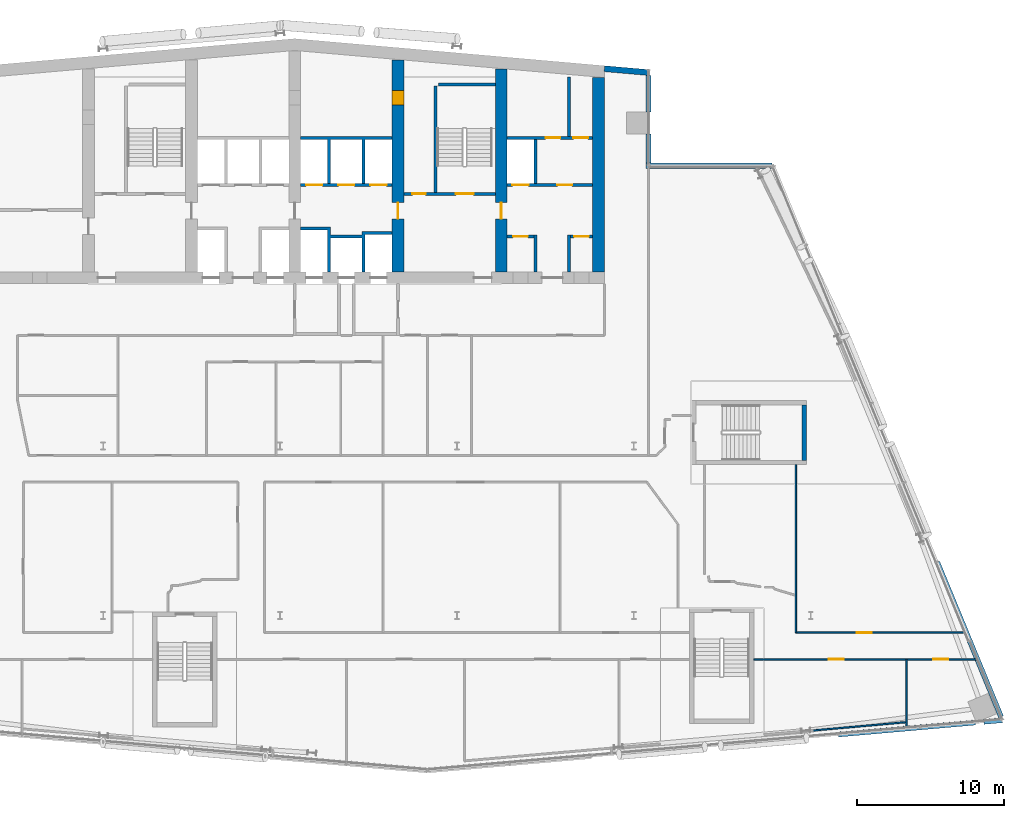
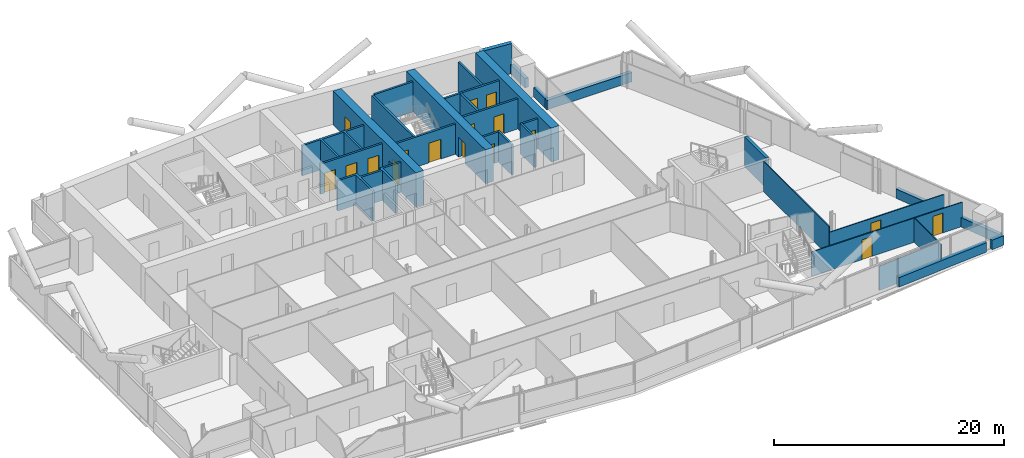
# One storey, part 19 of 27: 30 walls, 17 doors, 17 openings.
"""IFC4 building model written with IfcOpenShell, lengths in metres."""

from ifc_helpers import new_model, si_unit, direction, frame, frame_2d, origin, place, context, subcontext, project, spatial, polyline, rectangle, outline, extrude, material, layer, layer_set, type_object, element, fill, save


model = new_model("IFC4")

# Units and contexts
model_context = context("Model", 3, precision=1e-05, world=origin(), true_north=direction((0.0, 1.0)))
body_context = subcontext(model_context, "Body", "Model", "MODEL_VIEW")
ifc_project = project(units=[si_unit("LENGTHUNIT", "METRE"), si_unit("AREAUNIT", "SQUARE_METRE"), si_unit("VOLUMEUNIT", "CUBIC_METRE"), si_unit("PLANEANGLEUNIT", "RADIAN"), si_unit("MASSUNIT", "GRAM", prefix="KILO")], contexts=[model_context])

# Site, building, storey
site_placement = place(None, origin())
site = spatial("IfcSite", under=ifc_project, at=site_placement, CompositionType="ELEMENT")
building_placement = place(site_placement, origin())
building = spatial("IfcBuilding", under=site, at=building_placement, Name="Wharfspan Tower", CompositionType="ELEMENT")
storey_placement = place(building_placement, frame((0.0, 0.0, 195.100098)))
storey = spatial("IfcBuildingStorey", under=building, at=storey_placement, Name="L48", CompositionType="ELEMENT", Elevation=195.100098)

# Wall, openings, doors
ifc_material_1 = material(Name="Gypsum board on steel studs", Category="steel")
ifc_layer_1 = layer(ifc_material_1, 0.100098)
ifc_layer_set_1 = layer_set([ifc_layer_1], Name="Gypsum board on steel studs")
wall_type_1 = type_object("IfcWallType", Name="Compartment wall 100 EI 60", PredefinedType="PARTITIONING", material=ifc_layer_set_1)
wall_1_placement = place(storey_placement, frame((68.136475, 8.52002, 0.0), z_axis=(0.0, 0.0, 1.0), x_axis=(1.0, 0.0, 0.0)))
wall_1 = element("IfcWall", 1, at=wall_1_placement, inside=storey, type_object=wall_type_1, Name="Partition L48.w066", PredefinedType="PARTITIONING", context=body_context, shape_type="SweptSolid", body=[
    extrude(rectangle(XDim=15.140869, YDim=0.100098, at=frame_2d((7.570312, 0.0))), origin(), (0.0, 0.0, 1.0), 2.579834),
])
opening_1_placement = place(wall_1_placement, frame((5.093506, 0.0, 0.0)))
opening_1 = element("IfcOpeningElement", 2, at=opening_1_placement, cuts=wall_1, Name="Opening C6-07", PredefinedType="OPENING", context=body_context, shape_type="SweptSolid", body=[
    extrude(rectangle(XDim=1.0, YDim=2.100098, at=frame_2d((0.5, 1.050049))), frame((0.0, 0.060059, 0.0), z_axis=(0.0, -1.0, 0.0), x_axis=(1.0, 0.0, 0.0)), (0.0, 0.0, 1.0), 0.120117),
])
opening_2_placement = place(wall_1_placement, frame((12.183594, 0.0, 0.0)))
opening_2 = element("IfcOpeningElement", 3, at=opening_2_placement, cuts=wall_1, Name="Opening C6-08", PredefinedType="OPENING", context=body_context, shape_type="SweptSolid", body=[
    extrude(rectangle(XDim=1.0, YDim=2.100098, at=frame_2d((0.5, 1.050049))), frame((0.0, 0.060059, 0.0), z_axis=(0.0, -1.0, 0.0), x_axis=(1.0, 0.0, 0.0)), (0.0, 0.0, 1.0), 0.120117),
])
ifc_material_2 = material(Name="Fire-rated timber door leaf in steel frame", Category="steel")
door_type_1 = type_object("IfcDoorType", Name="Door 1000 FD30S Left", OperationType="SINGLE_SWING_LEFT", PredefinedType="DOOR", material=ifc_material_2)
door_1_placement = place(opening_1_placement, origin())
door_1 = element("IfcDoor", 4, at=door_1_placement, inside=storey, type_object=door_type_1, Name="Door C6-07", OperationType="SINGLE_SWING_LEFT", OverallHeight=2.100098, OverallWidth=1.0, PredefinedType="DOOR", context=body_context, shape_type="SweptSolid", body=[
    extrude(rectangle(XDim=1.0, YDim=2.100098, at=frame_2d((0.5, 1.050049))), frame((0.0, 0.024902, 0.0), z_axis=(0.0, -1.0, 0.0), x_axis=(1.0, 0.0, 0.0)), (0.0, 0.0, 1.0), 0.050049),
])
fill(opening_1, door_1)
door_type_2 = type_object("IfcDoorType", Name="Door 1000 FD30S Right", OperationType="SINGLE_SWING_RIGHT", PredefinedType="DOOR", material=ifc_material_2)
door_2_placement = place(opening_2_placement, origin())
door_2 = element("IfcDoor", 5, at=door_2_placement, inside=storey, type_object=door_type_2, Name="Door C6-08", OperationType="SINGLE_SWING_RIGHT", OverallHeight=2.100098, OverallWidth=1.0, PredefinedType="DOOR", context=body_context, shape_type="SweptSolid", body=[
    extrude(rectangle(XDim=1.0, YDim=2.100098, at=frame_2d((0.5, 1.050049))), frame((0.0, 0.024902, 0.0), z_axis=(0.0, -1.0, 0.0), x_axis=(1.0, 0.0, 0.0)), (0.0, 0.0, 1.0), 0.050049),
])
fill(opening_2, door_2)

# Wall
wall_2_placement = place(storey_placement, frame((71.0, 10.324951, 0.0), z_axis=(0.0, 0.0, 1.0), x_axis=(0.0, 1.0, 0.0)))
element("IfcWall", 6, at=wall_2_placement, inside=storey, type_object=wall_type_1, Name="Partition L48.w072", PredefinedType="PARTITIONING", context=body_context, shape_type="SweptSolid", body=[
    extrude(rectangle(XDim=11.400146, YDim=0.100098, at=frame_2d((5.700195, 0.0))), origin(), (0.0, 0.0, 1.0), 3.199951),
])

# Wall, opening, door
wall_3_placement = place(storey_placement, frame((71.0, 10.324951, 0.0), z_axis=(0.0, 0.0, 1.0), x_axis=(1.0, 0.0, 0.0)))
wall_3 = element("IfcWall", 7, at=wall_3_placement, inside=storey, type_object=wall_type_1, Name="Partition L48.w073", PredefinedType="PARTITIONING", context=body_context, shape_type="SweptSolid", body=[
    extrude(rectangle(XDim=11.532227, YDim=0.100098, at=frame_2d((5.766113, 0.0))), origin(), (0.0, 0.0, 1.0), 2.579834),
])
opening_3_placement = place(wall_3_placement, frame((4.135986, 0.0, 0.0)))
opening_3 = element("IfcOpeningElement", 8, at=opening_3_placement, cuts=wall_3, Name="Opening C6-10", PredefinedType="OPENING", context=body_context, shape_type="SweptSolid", body=[
    extrude(rectangle(XDim=1.0, YDim=2.100098, at=frame_2d((0.5, 1.050049))), frame((0.0, 0.060059, 0.0), z_axis=(0.0, -1.0, 0.0), x_axis=(1.0, 0.0, 0.0)), (0.0, 0.0, 1.0), 0.120117),
])
door_3_placement = place(opening_3_placement, origin())
door_3 = element("IfcDoor", 9, at=door_3_placement, inside=storey, type_object=door_type_1, Name="Door C6-10", OperationType="SINGLE_SWING_LEFT", OverallHeight=2.100098, OverallWidth=1.0, PredefinedType="DOOR", context=body_context, shape_type="SweptSolid", body=[
    extrude(rectangle(XDim=1.0, YDim=2.100098, at=frame_2d((0.5, 1.050049))), frame((0.0, 0.024902, 0.0), z_axis=(0.0, -1.0, 0.0), x_axis=(1.0, 0.0, 0.0)), (0.0, 0.0, 1.0), 0.050049),
])
fill(opening_3, door_3)

# Wall
wall_4_placement = place(storey_placement, frame((78.5, 3.870117, 0.0), z_axis=(0.0, 0.0, 1.0), x_axis=(0.0, 1.0, 0.0)))
element("IfcWall", 10, at=wall_4_placement, inside=storey, type_object=wall_type_1, Name="Partition L48.w078", PredefinedType="PARTITIONING", context=body_context, shape_type="SweptSolid", body=[
    extrude(rectangle(XDim=4.649902, YDim=0.100098, at=frame_2d((2.324951, 0.0))), origin(), (0.0, 0.0, 1.0), 2.579834),
])

# Wall, opening, door
ifc_material_3 = material(Name="Calcium silicate masonry", Category="masonry")
ifc_layer_2 = layer(ifc_material_3, 0.199951)
ifc_layer_set_2 = layer_set([ifc_layer_2], Name="Calcium silicate masonry")
wall_type_2 = type_object("IfcWallType", Name="Core room wall 200", PredefinedType="PARTITIONING", material=ifc_layer_set_2)
wall_5_placement = place(storey_placement, frame((51.399902, 37.199951, 0.0), z_axis=(0.0, 0.0, 1.0), x_axis=(1.0, 0.0, 0.0)))
wall_5 = element("IfcWall", 11, at=wall_5_placement, inside=storey, type_object=wall_type_2, Name="sw:L48:FR6.1", PredefinedType="PARTITIONING", context=body_context, shape_type="SweptSolid", body=[
    extrude(rectangle(XDim=1.833496, YDim=0.199951, at=frame_2d((0.916748, 0.0))), origin(), (0.0, 0.0, 1.0), 3.199951),
])
opening_4_placement = place(wall_5_placement, frame((0.416748, 0.0, 0.0)))
opening_4 = element("IfcOpeningElement", 12, at=opening_4_placement, cuts=wall_5, Name="Opening CD48.6H1", PredefinedType="OPENING", context=body_context, shape_type="SweptSolid", body=[
    extrude(rectangle(XDim=1.0, YDim=2.100098, at=frame_2d((0.5, 1.050049))), frame((0.0, 0.109863, 0.0), z_axis=(0.0, -1.0, 0.0), x_axis=(1.0, 0.0, 0.0)), (0.0, 0.0, 1.0), 0.219971),
])
ifc_material_4 = material(Name="Steel door leaf", Category="steel")
door_type_3 = type_object("IfcDoorType", Name="Core room door 1000x2100", OperationType="SINGLE_SWING_LEFT", PredefinedType="DOOR", material=ifc_material_4)
door_4_placement = place(opening_4_placement, origin())
door_4 = element("IfcDoor", 13, at=door_4_placement, inside=storey, type_object=door_type_3, Name="d:L48:6:fh6.1", OperationType="SINGLE_SWING_RIGHT", OverallHeight=2.100098, OverallWidth=1.0, PredefinedType="DOOR", context=body_context, shape_type="SweptSolid", body=[
    extrude(rectangle(XDim=1.0, YDim=2.100098, at=frame_2d((0.5, 1.050049))), frame((0.0, 0.024902, 0.0), z_axis=(0.0, -1.0, 0.0), x_axis=(1.0, 0.0, 0.0)), (0.0, 0.0, 1.0), 0.050049),
])
fill(opening_4, door_4)

wall_6_placement = place(storey_placement, frame((55.699951, 37.199951, 0.0), z_axis=(0.0, 0.0, 1.0), x_axis=(1.0, 0.0, 0.0)))
wall_6 = element("IfcWall", 14, at=wall_6_placement, inside=storey, type_object=wall_type_2, Name="sw:L48:FR6.3", PredefinedType="PARTITIONING", context=body_context, shape_type="SweptSolid", body=[
    extrude(rectangle(XDim=1.5, YDim=0.199951, at=frame_2d((0.75, 0.0))), origin(), (0.0, 0.0, 1.0), 3.199951),
])
opening_5_placement = place(wall_6_placement, frame((0.25, 0.0, 0.0)))
opening_5 = element("IfcOpeningElement", 15, at=opening_5_placement, cuts=wall_6, Name="Opening CD48.6H3", PredefinedType="OPENING", context=body_context, shape_type="SweptSolid", body=[
    extrude(rectangle(XDim=1.0, YDim=2.100098, at=frame_2d((0.5, 1.050049))), frame((0.0, 0.109863, 0.0), z_axis=(0.0, -1.0, 0.0), x_axis=(1.0, 0.0, 0.0)), (0.0, 0.0, 1.0), 0.219971),
])
door_5_placement = place(opening_5_placement, origin())
door_5 = element("IfcDoor", 16, at=door_5_placement, inside=storey, type_object=door_type_3, Name="d:L48:6:fh6.3", OperationType="SINGLE_SWING_RIGHT", OverallHeight=2.100098, OverallWidth=1.0, PredefinedType="DOOR", context=body_context, shape_type="SweptSolid", body=[
    extrude(rectangle(XDim=1.0, YDim=2.100098, at=frame_2d((0.5, 1.050049))), frame((0.0, 0.024902, 0.0), z_axis=(0.0, -1.0, 0.0), x_axis=(1.0, 0.0, 0.0)), (0.0, 0.0, 1.0), 0.050049),
])
fill(opening_5, door_5)

# Wall
wall_7_placement = place(storey_placement, frame((55.600098, 44.0, 0.0), z_axis=(0.0, 0.0, 1.0), x_axis=(0.0, 1.0, 0.0)))
element("IfcWall", 17, at=wall_7_placement, inside=storey, type_object=wall_type_2, Name="sw:L48:RP6.1", PredefinedType="PARTITIONING", context=body_context, shape_type="SweptSolid", body=[
    extrude(rectangle(XDim=4.03418, YDim=0.199951, at=frame_2d((2.01709, 0.0))), origin(), (0.0, 0.0, 1.0), 3.199951),
])

# Wall, openings, doors
ifc_material_5 = material(Name="Concrete C60/75", Category="concrete")
ifc_layer_3 = layer(ifc_material_5, 0.800049)
ifc_layer_set_3 = layer_set([ifc_layer_3], Name="Concrete C60/75")
wall_type_3 = type_object("IfcWallType", Name="Core wall 800 C60/75", PredefinedType="SHEAR", material=ifc_layer_set_3)
wall_8_placement = place(storey_placement, frame((44.0, 34.800049, 0.0), z_axis=(0.0, 0.0, 1.0), x_axis=(0.0, 1.0, 0.0)))
wall_8 = element("IfcWall", 18, at=wall_8_placement, inside=storey, type_object=wall_type_3, Name="Core cross wall X5 L48", PredefinedType="SHEAR", context=body_context, shape_type="SweptSolid", body=[
    extrude(rectangle(XDim=14.374023, YDim=0.800049, at=frame_2d((7.187012, 0.0))), origin(), (0.0, 0.0, 1.0), 3.599854),
])
opening_6_placement = place(wall_8_placement, frame((11.312012, 0.0, 0.0)))
opening_6 = element("IfcOpeningElement", 19, at=opening_6_placement, cuts=wall_8, Name="Opening CD48.4X", PredefinedType="OPENING", context=body_context, shape_type="SweptSolid", body=[
    extrude(rectangle(XDim=1.0, YDim=2.100098, at=frame_2d((0.5, 1.050049))), frame((0.0, 0.409912, 0.0), z_axis=(0.0, -1.0, 0.0), x_axis=(1.0, 0.0, 0.0)), (0.0, 0.0, 1.0), 0.820068),
])
opening_7_placement = place(wall_8_placement, frame((3.600098, 0.0, 0.0)))
opening_7 = element("IfcOpeningElement", 20, at=opening_7_placement, cuts=wall_8, Name="Opening CC48.5", PredefinedType="OPENING", context=body_context, shape_type="SweptSolid", body=[
    extrude(rectangle(XDim=1.100098, YDim=2.100098, at=frame_2d((0.550049, 1.050049))), frame((0.0, 0.409912, 0.0), z_axis=(0.0, -1.0, 0.0), x_axis=(1.0, 0.0, 0.0)), (0.0, 0.0, 1.0), 0.820068),
])
door_type_4 = type_object("IfcDoorType", Name="Core corridor door 1100x2100", OperationType="SINGLE_SWING_LEFT", PredefinedType="DOOR", material=ifc_material_4)
door_6_placement = place(opening_7_placement, origin())
door_6 = element("IfcDoor", 21, at=door_6_placement, inside=storey, type_object=door_type_4, Name="xd:L48:5", OperationType="SINGLE_SWING_LEFT", OverallHeight=2.100098, OverallWidth=1.100098, PredefinedType="DOOR", context=body_context, shape_type="SweptSolid", body=[
    extrude(rectangle(XDim=1.100098, YDim=2.100098, at=frame_2d((0.550049, 1.050049))), frame((0.0, 0.024902, 0.0), z_axis=(0.0, -1.0, 0.0), x_axis=(1.0, 0.0, 0.0)), (0.0, 0.0, 1.0), 0.050049),
])
fill(opening_7, door_6)
door_7_placement = place(opening_6_placement, origin())
door_7 = element("IfcDoor", 22, at=door_7_placement, inside=storey, type_object=door_type_3, Name="d:L48:4:sx", OperationType="SINGLE_SWING_LEFT", OverallHeight=2.100098, OverallWidth=1.0, PredefinedType="DOOR", context=body_context, shape_type="SweptSolid", body=[
    extrude(rectangle(XDim=1.0, YDim=2.100098, at=frame_2d((0.5, 1.050049))), frame((0.0, 0.399902, 0.0), z_axis=(0.0, -1.0, 0.0), x_axis=(1.0, 0.0, 0.0)), (0.0, 0.0, 1.0), 0.799561),
])
fill(opening_6, door_7)

# Wall, opening, door
wall_9_placement = place(storey_placement, frame((51.0, 34.800049, 0.0), z_axis=(0.0, 0.0, 1.0), x_axis=(0.0, 1.0, 0.0)))
wall_9 = element("IfcWall", 23, at=wall_9_placement, inside=storey, type_object=wall_type_3, Name="Core cross wall X6 L48", PredefinedType="SHEAR", context=body_context, shape_type="SweptSolid", body=[
    extrude(rectangle(XDim=13.761719, YDim=0.800049, at=frame_2d((6.880859, 0.0))), origin(), (0.0, 0.0, 1.0), 3.599854),
])
opening_8_placement = place(wall_9_placement, frame((3.600098, 0.0, 0.0)))
opening_8 = element("IfcOpeningElement", 24, at=opening_8_placement, cuts=wall_9, Name="Opening CC48.6", PredefinedType="OPENING", context=body_context, shape_type="SweptSolid", body=[
    extrude(rectangle(XDim=1.100098, YDim=2.100098, at=frame_2d((0.550049, 1.050049))), frame((0.0, 0.409912, 0.0), z_axis=(0.0, -1.0, 0.0), x_axis=(1.0, 0.0, 0.0)), (0.0, 0.0, 1.0), 0.820068),
])
door_8_placement = place(opening_8_placement, origin())
door_8 = element("IfcDoor", 25, at=door_8_placement, inside=storey, type_object=door_type_4, Name="xd:L48:6", OperationType="SINGLE_SWING_RIGHT", OverallHeight=2.100098, OverallWidth=1.100098, PredefinedType="DOOR", context=body_context, shape_type="SweptSolid", body=[
    extrude(rectangle(XDim=1.100098, YDim=2.100098, at=frame_2d((0.550049, 1.050049))), frame((0.0, 0.024902, 0.0), z_axis=(0.0, -1.0, 0.0), x_axis=(1.0, 0.0, 0.0)), (0.0, 0.0, 1.0), 0.050049),
])
fill(opening_8, door_8)

# Wall
wall_10_placement = place(storey_placement, frame((57.600098, 34.800049, 0.0), z_axis=(0.0, 0.0, 1.0), x_axis=(0.0, 1.0, 0.0)))
element("IfcWall", 26, at=wall_10_placement, inside=storey, type_object=wall_type_3, Name="Core cross wall EW1 L48", PredefinedType="SHEAR", context=body_context, shape_type="SweptSolid", body=[
    extrude(rectangle(XDim=13.184326, YDim=0.800049, at=frame_2d((6.592285, 0.0))), origin(), (0.0, 0.0, 1.0), 3.599854),
])

# Wall, openings, doors
ifc_material_6 = material(Name="Concrete C30/37", Category="concrete")
ifc_layer_4 = layer(ifc_material_6, 0.199951)
ifc_layer_set_4 = layer_set([ifc_layer_4], Name="Concrete C30/37")
wall_type_4 = type_object("IfcWallType", Name="Lift shaft wall 200", PredefinedType="PARTITIONING", material=ifc_layer_set_4)
wall_11_placement = place(storey_placement, frame((37.399902, 40.699951, 0.0), z_axis=(0.0, 0.0, 1.0), x_axis=(1.0, 0.0, 0.0)))
wall_11 = element("IfcWall", 27, at=wall_11_placement, inside=storey, type_object=wall_type_4, Name="sw:L48:RF4", PredefinedType="PARTITIONING", context=body_context, shape_type="SweptSolid", body=[
    extrude(rectangle(XDim=6.200195, YDim=0.199951, at=frame_2d((3.100098, 0.0))), origin(), (0.0, 0.0, 1.0), 3.199951),
])
opening_9_placement = place(wall_11_placement, frame((0.366699, 0.0, 0.0)))
opening_9 = element("IfcOpeningElement", 28, at=opening_9_placement, cuts=wall_11, Name="Opening LD.LB4.L48", PredefinedType="OPENING", context=body_context, shape_type="SweptSolid", body=[
    extrude(rectangle(XDim=1.100098, YDim=2.100098, at=frame_2d((0.550049, 1.050049))), frame((0.0, 0.109863, 0.0), z_axis=(0.0, -1.0, 0.0), x_axis=(1.0, 0.0, 0.0)), (0.0, 0.0, 1.0), 0.219971),
])
opening_10_placement = place(wall_11_placement, frame((2.550049, 0.0, 0.0)))
opening_10 = element("IfcOpeningElement", 29, at=opening_10_placement, cuts=wall_11, Name="Opening LD.LB5.L48", PredefinedType="OPENING", context=body_context, shape_type="SweptSolid", body=[
    extrude(rectangle(XDim=1.100098, YDim=2.100098, at=frame_2d((0.550049, 1.050049))), frame((0.0, 0.109863, 0.0), z_axis=(0.0, -1.0, 0.0), x_axis=(1.0, 0.0, 0.0)), (0.0, 0.0, 1.0), 0.219971),
])
opening_11_placement = place(wall_11_placement, frame((4.733398, 0.0, 0.0)))
opening_11 = element("IfcOpeningElement", 30, at=opening_11_placement, cuts=wall_11, Name="Opening LD.LB6.L48", PredefinedType="OPENING", context=body_context, shape_type="SweptSolid", body=[
    extrude(rectangle(XDim=1.100098, YDim=2.100098, at=frame_2d((0.550049, 1.050049))), frame((0.0, 0.109863, 0.0), z_axis=(0.0, -1.0, 0.0), x_axis=(1.0, 0.0, 0.0)), (0.0, 0.0, 1.0), 0.219971),
])
ifc_material_7 = material(Name="Stainless steel", Category="steel")
door_type_5 = type_object("IfcDoorType", Name="Lift landing door 1100x2100", OperationType="DOUBLE_DOOR_SLIDING", PredefinedType="DOOR", material=ifc_material_7)
door_9_placement = place(opening_9_placement, origin())
door_9 = element("IfcDoor", 31, at=door_9_placement, inside=storey, type_object=door_type_5, Name="Landing door LB4 L48", OperationType="DOUBLE_DOOR_SLIDING", OverallHeight=2.100098, OverallWidth=1.100098, PredefinedType="DOOR", context=body_context, shape_type="SweptSolid", body=[
    extrude(rectangle(XDim=1.100098, YDim=2.100098, at=frame_2d((0.550049, 1.050049))), frame((0.0, 0.024902, 0.0), z_axis=(0.0, -1.0, 0.0), x_axis=(1.0, 0.0, 0.0)), (0.0, 0.0, 1.0), 0.050049),
])
fill(opening_9, door_9)
door_10_placement = place(opening_10_placement, origin())
door_10 = element("IfcDoor", 32, at=door_10_placement, inside=storey, type_object=door_type_5, Name="Landing door LB5 L48", OperationType="DOUBLE_DOOR_SLIDING", OverallHeight=2.100098, OverallWidth=1.100098, PredefinedType="DOOR", context=body_context, shape_type="SweptSolid", body=[
    extrude(rectangle(XDim=1.100098, YDim=2.100098, at=frame_2d((0.550049, 1.050049))), frame((0.0, 0.024902, 0.0), z_axis=(0.0, -1.0, 0.0), x_axis=(1.0, 0.0, 0.0)), (0.0, 0.0, 1.0), 0.050049),
])
fill(opening_10, door_10)
door_11_placement = place(opening_11_placement, origin())
door_11 = element("IfcDoor", 33, at=door_11_placement, inside=storey, type_object=door_type_5, Name="Landing door LB6 L48", OperationType="DOUBLE_DOOR_SLIDING", OverallHeight=2.100098, OverallWidth=1.100098, PredefinedType="DOOR", context=body_context, shape_type="SweptSolid", body=[
    extrude(rectangle(XDim=1.100098, YDim=2.100098, at=frame_2d((0.550049, 1.050049))), frame((0.0, 0.024902, 0.0), z_axis=(0.0, -1.0, 0.0), x_axis=(1.0, 0.0, 0.0)), (0.0, 0.0, 1.0), 0.050049),
])
fill(opening_11, door_11)

# Walls
wall_12_placement = place(storey_placement, frame((0.0, 0.0, -0.000244)))
element("IfcWall", 34, at=wall_12_placement, inside=storey, type_object=wall_type_4, Name="sw:L48:FM4.0", PredefinedType="PARTITIONING", context=body_context, shape_type="SweptSolid", body=[
    extrude(outline(polyline([(41.56665, 37.100098), (39.43335, 37.100098), (39.43335, 34.800049), (39.233398, 34.800049), (39.233398, 37.649902), (37.399902, 37.649902), (37.399902, 37.850098), (39.233398, 37.850098), (39.43335, 37.850098), (39.43335, 37.300049), (41.56665, 37.300049), (41.56665, 37.550049), (41.766602, 37.550049), (43.600098, 37.550049), (43.600098, 37.350098), (41.766602, 37.350098), (41.766602, 34.800049), (41.56665, 34.800049), (41.56665, 37.100098)])), origin(), (0.0, 0.0, 1.0), 3.200195),
])
wall_13_placement = place(storey_placement, frame((0.0, 0.0, -0.000244)))
element("IfcWall", 35, at=wall_13_placement, inside=storey, type_object=wall_type_4, Name="sw:L48:RM4.0", PredefinedType="PARTITIONING", context=body_context, shape_type="SweptSolid", body=[
    extrude(outline(polyline([(39.43335, 40.800049), (39.233398, 40.800049), (39.233398, 43.800049), (37.399902, 43.800049), (37.399902, 44.0), (43.600098, 44.0), (43.600098, 43.800049), (41.766602, 43.800049), (41.766602, 40.800049), (41.56665, 40.800049), (41.56665, 43.800049), (39.43335, 43.800049), (39.43335, 40.800049)])), origin(), (0.0, 0.0, 1.0), 3.200195),
])

# Wall, openings, doors
wall_14_placement = place(storey_placement, frame((51.399902, 40.699951, 0.0), z_axis=(0.0, 0.0, 1.0), x_axis=(1.0, 0.0, 0.0)))
wall_14 = element("IfcWall", 36, at=wall_14_placement, inside=storey, type_object=wall_type_4, Name="sw:L48:RF6", PredefinedType="PARTITIONING", context=body_context, shape_type="SweptSolid", body=[
    extrude(rectangle(XDim=5.800049, YDim=0.199951, at=frame_2d((2.899902, 0.0))), origin(), (0.0, 0.0, 1.0), 3.199951),
])
opening_12_placement = place(wall_14_placement, frame((0.366699, 0.0, 0.0)))
opening_12 = element("IfcOpeningElement", 37, at=opening_12_placement, cuts=wall_14, Name="Opening LD.LB8.L48", PredefinedType="OPENING", context=body_context, shape_type="SweptSolid", body=[
    extrude(rectangle(XDim=1.100098, YDim=2.100098, at=frame_2d((0.550049, 1.050049))), frame((0.0, 0.109863, 0.0), z_axis=(0.0, -1.0, 0.0), x_axis=(1.0, 0.0, 0.0)), (0.0, 0.0, 1.0), 0.219971),
])
opening_13_placement = place(wall_14_placement, frame((3.416748, 0.0, 0.0)))
opening_13 = element("IfcOpeningElement", 38, at=opening_13_placement, cuts=wall_14, Name="Opening CD48.6R2", PredefinedType="OPENING", context=body_context, shape_type="SweptSolid", body=[
    extrude(rectangle(XDim=1.0, YDim=2.100098, at=frame_2d((0.5, 1.050049))), frame((0.0, 0.109863, 0.0), z_axis=(0.0, -1.0, 0.0), x_axis=(1.0, 0.0, 0.0)), (0.0, 0.0, 1.0), 0.219971),
])
door_12_placement = place(opening_13_placement, origin())
door_12 = element("IfcDoor", 39, at=door_12_placement, inside=storey, type_object=door_type_3, Name="d:L48:6:rd6.2", OperationType="SINGLE_SWING_RIGHT", OverallHeight=2.100098, OverallWidth=1.0, PredefinedType="DOOR", context=body_context, shape_type="SweptSolid", body=[
    extrude(rectangle(XDim=1.0, YDim=2.100098, at=frame_2d((0.5, 1.050049))), frame((0.0, 0.024902, 0.0), z_axis=(0.0, -1.0, 0.0), x_axis=(1.0, 0.0, 0.0)), (0.0, 0.0, 1.0), 0.050049),
])
fill(opening_13, door_12)
door_13_placement = place(opening_12_placement, origin())
door_13 = element("IfcDoor", 40, at=door_13_placement, inside=storey, type_object=door_type_5, Name="Landing door LB8 L48", OperationType="DOUBLE_DOOR_SLIDING", OverallHeight=2.100098, OverallWidth=1.100098, PredefinedType="DOOR", context=body_context, shape_type="SweptSolid", body=[
    extrude(rectangle(XDim=1.100098, YDim=2.100098, at=frame_2d((0.550049, 1.050049))), frame((0.0, 0.024902, 0.0), z_axis=(0.0, -1.0, 0.0), x_axis=(1.0, 0.0, 0.0)), (0.0, 0.0, 1.0), 0.050049),
])
fill(opening_12, door_13)

wall_15_placement = place(storey_placement, frame((51.399902, 43.899902, 0.0), z_axis=(0.0, 0.0, 1.0), x_axis=(1.0, 0.0, 0.0)))
wall_15 = element("IfcWall", 41, at=wall_15_placement, inside=storey, type_object=wall_type_4, Name="sw:L48:RR6", PredefinedType="PARTITIONING", context=body_context, shape_type="SweptSolid", body=[
    extrude(rectangle(XDim=5.800049, YDim=0.199951, at=frame_2d((2.899902, 0.0))), origin(), (0.0, 0.0, 1.0), 3.199951),
])
opening_14_placement = place(wall_15_placement, frame((2.616699, 0.0, 0.0)))
opening_14 = element("IfcOpeningElement", 42, at=opening_14_placement, cuts=wall_15, Name="Opening CD48.6S2", PredefinedType="OPENING", context=body_context, shape_type="SweptSolid", body=[
    extrude(rectangle(XDim=1.0, YDim=2.100098, at=frame_2d((0.5, 1.050049))), frame((0.0, 0.109863, 0.0), z_axis=(0.0, -1.0, 0.0), x_axis=(1.0, 0.0, 0.0)), (0.0, 0.0, 1.0), 0.219971),
])
opening_15_placement = place(wall_15_placement, frame((4.5, 0.0, 0.0)))
opening_15 = element("IfcOpeningElement", 43, at=opening_15_placement, cuts=wall_15, Name="Opening CD48.6S2a", PredefinedType="OPENING", context=body_context, shape_type="SweptSolid", body=[
    extrude(rectangle(XDim=1.0, YDim=2.100098, at=frame_2d((0.5, 1.050049))), frame((0.0, 0.109863, 0.0), z_axis=(0.0, -1.0, 0.0), x_axis=(1.0, 0.0, 0.0)), (0.0, 0.0, 1.0), 0.219971),
])
door_14_placement = place(opening_14_placement, origin())
door_14 = element("IfcDoor", 44, at=door_14_placement, inside=storey, type_object=door_type_3, Name="d:L48:6:rs6.2", OperationType="SINGLE_SWING_LEFT", OverallHeight=2.100098, OverallWidth=1.0, PredefinedType="DOOR", context=body_context, shape_type="SweptSolid", body=[
    extrude(rectangle(XDim=1.0, YDim=2.100098, at=frame_2d((0.5, 1.050049))), frame((0.0, 0.024902, 0.0), z_axis=(0.0, -1.0, 0.0), x_axis=(1.0, 0.0, 0.0)), (0.0, 0.0, 1.0), 0.050049),
])
fill(opening_14, door_14)
door_15_placement = place(opening_15_placement, origin())
door_15 = element("IfcDoor", 45, at=door_15_placement, inside=storey, type_object=door_type_3, Name="d:L48:6:rs6.2a", OperationType="SINGLE_SWING_LEFT", OverallHeight=2.100098, OverallWidth=1.0, PredefinedType="DOOR", context=body_context, shape_type="SweptSolid", body=[
    extrude(rectangle(XDim=1.0, YDim=2.100098, at=frame_2d((0.5, 1.050049))), frame((0.0, 0.024902, 0.0), z_axis=(0.0, -1.0, 0.0), x_axis=(1.0, 0.0, 0.0)), (0.0, 0.0, 1.0), 0.050049),
])
fill(opening_15, door_15)

# Walls
wall_16_placement = place(storey_placement, frame((0.0, 0.0, -0.000244)))
element("IfcWall", 46, at=wall_16_placement, inside=storey, type_object=wall_type_4, Name="sw:L48:FM6.0", PredefinedType="PARTITIONING", context=body_context, shape_type="SweptSolid", body=[
    extrude(outline(polyline([(53.233398, 34.800049), (53.233398, 37.300049), (53.43335, 37.300049), (53.43335, 34.800049), (53.233398, 34.800049)])), origin(), (0.0, 0.0, 1.0), 3.200195),
])
wall_17_placement = place(storey_placement, frame((0.0, 0.0, -0.000244)))
element("IfcWall", 47, at=wall_17_placement, inside=storey, type_object=wall_type_4, Name="sw:L48:FM6.1", PredefinedType="PARTITIONING", context=body_context, shape_type="SweptSolid", body=[
    extrude(outline(polyline([(55.5, 34.800049), (55.5, 37.300049), (55.699951, 37.300049), (55.699951, 34.800049), (55.5, 34.800049)])), origin(), (0.0, 0.0, 1.0), 3.200195),
])
wall_18_placement = place(storey_placement, frame((0.0, 0.0, -0.000244)))
element("IfcWall", 48, at=wall_18_placement, inside=storey, type_object=wall_type_4, Name="sw:L48:RM6.0", PredefinedType="PARTITIONING", context=body_context, shape_type="SweptSolid", body=[
    extrude(outline(polyline([(53.43335, 40.800049), (53.43335, 43.800049), (53.233398, 43.800049), (53.233398, 40.800049), (53.43335, 40.800049)])), origin(), (0.0, 0.0, 1.0), 3.200195),
])
ifc_layer_5 = layer(ifc_material_1, 0.100098)
ifc_layer_set_5 = layer_set([ifc_layer_5], Name="Gypsum board on steel studs")
wall_type_5 = type_object("IfcWallType", Name="Partition 100", PredefinedType="PARTITIONING", material=ifc_layer_set_5)
wall_19_placement = place(storey_placement, frame((72.165039, 3.695068, 0.0), z_axis=(0.0, 0.0, 1.0), x_axis=(0.996066, 0.08865, 0.0)))
element("IfcWall", 49, at=wall_19_placement, inside=storey, type_object=wall_type_5, Name="Partition L48.w074", PredefinedType="PARTITIONING", context=body_context, shape_type="SweptSolid", body=[
    extrude(rectangle(XDim=6.314941, YDim=0.100098, at=frame_2d((3.157471, 0.0))), origin(), (0.0, 0.0, 1.0), 2.579834),
])
ifc_material_8 = material(Name="Concrete C40/50", Category="concrete")
ifc_layer_6 = layer(ifc_material_8, 0.350098)
ifc_layer_set_6 = layer_set([ifc_layer_6], Name="Concrete C40/50")
wall_type_6 = type_object("IfcWallType", Name="SPANDREL EXPOSED CONCRETE 350", PredefinedType="SOLIDWALL", material=ifc_layer_set_6)
wall_20_placement = place(storey_placement, frame((73.887451, 3.422852, 0.0), z_axis=(0.0, 0.0, 1.0), x_axis=(0.996197, 0.087145, 0.0)))
element("IfcWall", 50, at=wall_20_placement, inside=storey, type_object=wall_type_6, Name="Spandrel upstand L48 S2 2", PredefinedType="SOLIDWALL", context=body_context, shape_type="SweptSolid", body=[
    extrude(rectangle(XDim=9.323486, YDim=0.350098, at=frame_2d((4.661621, 0.0))), origin(), (0.0, 0.0, 1.0), 1.0),
])
wall_21_placement = place(storey_placement, frame((83.744629, 4.285156, 0.0), z_axis=(0.0, 0.0, 1.0), x_axis=(0.996198, 0.087148, 0.0)))
element("IfcWall", 51, at=wall_21_placement, inside=storey, type_object=wall_type_6, Name="Spandrel upstand L48 S2 3", PredefinedType="SOLIDWALL", context=body_context, shape_type="SweptSolid", body=[
    extrude(rectangle(XDim=1.260742, YDim=0.350098, at=frame_2d((0.630371, 0.0))), origin(), (0.0, 0.0, 1.0), 1.0),
])
wall_22_placement = place(storey_placement, frame((84.91626, 4.615967, 0.0), z_axis=(0.0, 0.0, 1.0), x_axis=(-0.381598, 0.924328, 0.0)))
element("IfcWall", 52, at=wall_22_placement, inside=storey, type_object=wall_type_6, Name="Spandrel upstand L48 E", PredefinedType="SOLIDWALL", context=body_context, shape_type="SweptSolid", body=[
    extrude(rectangle(XDim=11.360596, YDim=0.350098, at=frame_2d((5.680176, 0.0))), origin(), (0.0, 0.0, 1.0), 1.0),
])
wall_23_placement = place(storey_placement, frame((69.366211, 42.004883, 0.0), z_axis=(0.0, 0.0, 1.0), x_axis=(-1.0, 0.0, 0.0)))
element("IfcWall", 53, at=wall_23_placement, inside=storey, type_object=wall_type_6, Name="Spandrel upstand L48 NRE-H", PredefinedType="SOLIDWALL", context=body_context, shape_type="SweptSolid", body=[
    extrude(rectangle(XDim=8.536133, YDim=0.350098, at=frame_2d((4.268066, 0.0))), origin(), (0.0, 0.0, 1.0), 1.0),
])
wall_24_placement = place(storey_placement, frame((61.004883, 42.179932, 0.0), z_axis=(0.0, 0.0, 1.0), x_axis=(0.0, 1.0, 0.0)))
element("IfcWall", 54, at=wall_24_placement, inside=storey, type_object=wall_type_6, Name="Spandrel upstand L48 NRE-V", PredefinedType="SOLIDWALL", context=body_context, shape_type="SweptSolid", body=[
    extrude(rectangle(XDim=1.969971, YDim=0.350098, at=frame_2d((0.984863, 0.0))), origin(), (0.0, 0.0, 1.0), 1.0),
])
wall_25_placement = place(storey_placement, frame((61.004883, 45.649902, 0.0), z_axis=(0.0, 0.0, 1.0), x_axis=(0.0, 1.0, 0.0)))
element("IfcWall", 55, at=wall_25_placement, inside=storey, type_object=wall_type_6, Name="Spandrel upstand L48 NRE-V 2", PredefinedType="SOLIDWALL", context=body_context, shape_type="SweptSolid", body=[
    extrude(rectangle(XDim=2.476562, YDim=0.350098, at=frame_2d((1.238281, 0.0))), origin(), (0.0, 0.0, 1.0), 1.0),
])
ifc_layer_7 = layer(ifc_material_8, 0.300049)
ifc_layer_set_7 = layer_set([ifc_layer_7], Name="Concrete C40/50")
wall_type_7 = type_object("IfcWallType", Name="Stair core wall 300", PredefinedType="SHEAR", material=ifc_layer_set_7)
wall_26_placement = place(storey_placement, frame((71.554688, 22.024902, 0.0), z_axis=(0.0, 0.0, 1.0), x_axis=(0.0, 1.0, 0.0)))
element("IfcWall", 56, at=wall_26_placement, inside=storey, type_object=wall_type_7, Name="ST6 stair enclosure wall L48", PredefinedType="SHEAR", context=body_context, shape_type="SweptSolid", body=[
    extrude(rectangle(XDim=3.75, YDim=0.300049, at=frame_2d((1.875, 0.0))), origin(), (0.0, 0.0, 1.0), 3.199951),
])

# Wall, openings, doors
ifc_layer_8 = layer(ifc_material_8, 0.199951)
ifc_layer_set_8 = layer_set([ifc_layer_8], Name="Concrete C40/50")
wall_type_8 = type_object("IfcWallType", Name="Stair shaft wall 200", PredefinedType="SHEAR", material=ifc_layer_set_8)
wall_27_placement = place(storey_placement, frame((44.399902, 40.100098, 0.0), z_axis=(0.0, 0.0, 1.0), x_axis=(1.0, 0.0, 0.0)))
wall_27 = element("IfcWall", 57, at=wall_27_placement, inside=storey, type_object=wall_type_8, Name="ST2 stair enclosure wall L48", PredefinedType="SHEAR", context=body_context, shape_type="SweptSolid", body=[
    extrude(rectangle(XDim=6.200195, YDim=0.199951, at=frame_2d((3.100098, 0.0))), origin(), (0.0, 0.0, 1.0), 3.199951),
])
opening_16_placement = place(wall_27_placement, frame((3.524902, 0.0, 0.0)))
opening_16 = element("IfcOpeningElement", 58, at=opening_16_placement, cuts=wall_27, Name="Opening SD5.L48", PredefinedType="OPENING", context=body_context, shape_type="SweptSolid", body=[
    extrude(rectangle(XDim=1.199951, YDim=2.100098, at=frame_2d((0.600098, 1.050049))), frame((0.0, 0.109863, 0.0), z_axis=(0.0, -1.0, 0.0), x_axis=(1.0, 0.0, 0.0)), (0.0, 0.0, 1.0), 0.219971),
])
opening_17_placement = place(wall_27_placement, frame((0.574951, 0.0, 0.0)))
opening_17 = element("IfcOpeningElement", 59, at=opening_17_placement, cuts=wall_27, Name="Opening CD48.5R", PredefinedType="OPENING", context=body_context, shape_type="SweptSolid", body=[
    extrude(rectangle(XDim=0.899902, YDim=2.100098, at=frame_2d((0.449951, 1.050049))), frame((0.0, 0.109863, 0.0), z_axis=(0.0, -1.0, 0.0), x_axis=(1.0, 0.0, 0.0)), (0.0, 0.0, 1.0), 0.219971),
])
door_16_placement = place(opening_17_placement, origin())
door_16 = element("IfcDoor", 60, at=door_16_placement, inside=storey, type_object=door_type_3, Name="rk:L48:5", OperationType="SINGLE_SWING_LEFT", OverallHeight=2.100098, OverallWidth=0.899902, PredefinedType="DOOR", context=body_context, shape_type="SweptSolid", body=[
    extrude(rectangle(XDim=0.899902, YDim=2.100098, at=frame_2d((0.449951, 1.050049))), frame((0.0, 0.024902, 0.0), z_axis=(0.0, -1.0, 0.0), x_axis=(1.0, 0.0, 0.0)), (0.0, 0.0, 1.0), 0.050049),
])
fill(opening_17, door_16)
door_type_6 = type_object("IfcDoorType", Name="Stair door 1200x2100", OperationType="SINGLE_SWING_LEFT", PredefinedType="DOOR", material=ifc_material_4)
door_17_placement = place(opening_16_placement, origin())
door_17 = element("IfcDoor", 61, at=door_17_placement, inside=storey, type_object=door_type_6, Name="sd:L48:5", OperationType="SINGLE_SWING_RIGHT", OverallHeight=2.100098, OverallWidth=1.199951, PredefinedType="DOOR", context=body_context, shape_type="SweptSolid", body=[
    extrude(rectangle(XDim=1.199951, YDim=2.100098, at=frame_2d((0.600098, 1.050049))), frame((0.0, 0.024902, 0.0), z_axis=(0.0, -1.0, 0.0), x_axis=(1.0, 0.0, 0.0)), (0.0, 0.0, 1.0), 0.050049),
])
fill(opening_16, door_17)

# Walls
wall_28_placement = place(storey_placement, frame((46.550049, 40.199951, 0.0), z_axis=(0.0, 0.0, 1.0), x_axis=(0.0, 1.0, 0.0)))
element("IfcWall", 62, at=wall_28_placement, inside=storey, type_object=wall_type_8, Name="ST2 stair enclosure wall L48", PredefinedType="SHEAR", context=body_context, shape_type="SweptSolid", body=[
    extrude(rectangle(XDim=7.199951, YDim=0.199951, at=frame_2d((3.600098, 0.0))), origin(), (0.0, 0.0, 1.0), 3.199951),
])
wall_29_placement = place(storey_placement, frame((46.75, 47.5, 0.0), z_axis=(0.0, 0.0, 1.0), x_axis=(1.0, 0.0, 0.0)))
element("IfcWall", 63, at=wall_29_placement, inside=storey, type_object=wall_type_8, Name="ST2 stair enclosure wall L48", PredefinedType="SHEAR", context=body_context, shape_type="SweptSolid", body=[
    extrude(rectangle(XDim=3.850098, YDim=0.199951, at=frame_2d((1.925049, 0.0))), origin(), (0.0, 0.0, 1.0), 3.199951),
])
ifc_layer_9 = layer(ifc_material_8, 0.399902)
ifc_layer_set_9 = layer_set([ifc_layer_9], Name="Concrete C40/50")
wall_type_9 = type_object("IfcWallType", Name="WALL EXPOSED CONCRETE 400", PredefinedType="SOLIDWALL", material=ifc_layer_set_9)
wall_30_placement = place(storey_placement, frame((60.982666, 48.325684, 0.0), z_axis=(0.0, 0.0, 1.0), x_axis=(-0.996194, 0.087168, 0.0)))
element("IfcWall", 64, at=wall_30_placement, inside=storey, type_object=wall_type_9, Name="Rear wall N2", PredefinedType="SOLIDWALL", context=body_context, shape_type="SweptSolid", body=[
    extrude(rectangle(XDim=2.994141, YDim=0.399902, at=frame_2d((1.49707, 0.0))), origin(), (0.0, 0.0, 1.0), 3.199951),
])

save(model, "model.ifc")
